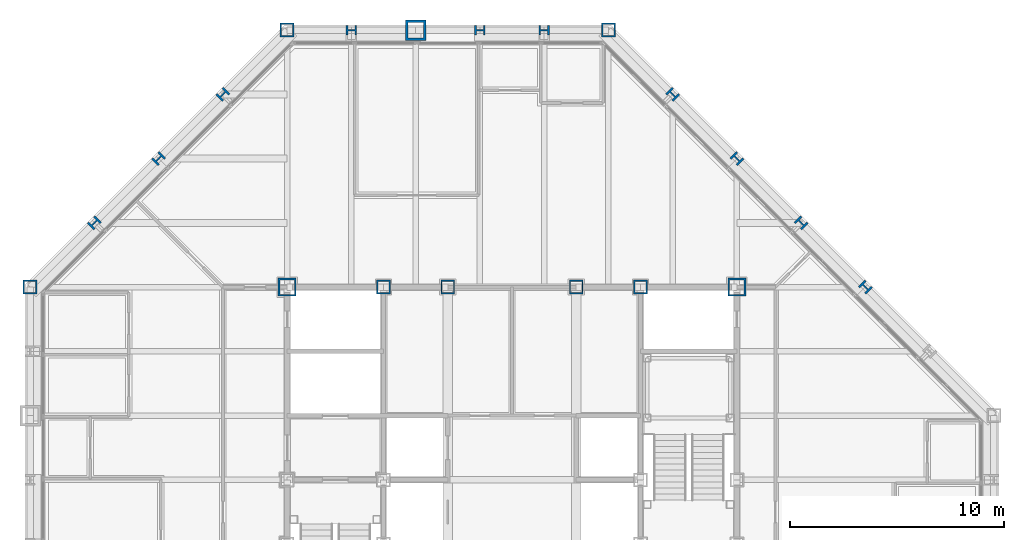
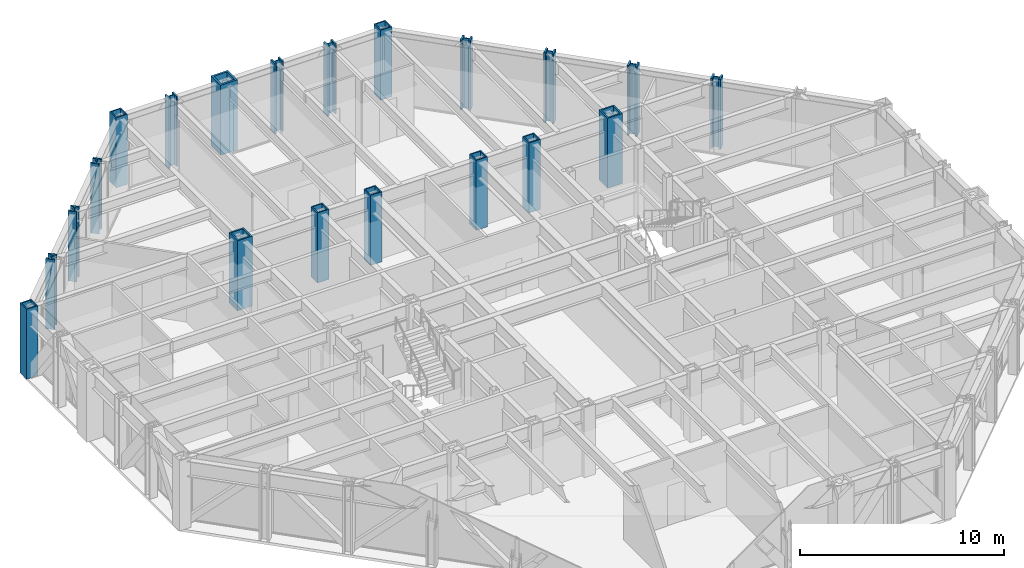
# One storey, part 4 of 16: 20 columns.
"""IFC4 building model written with IfcOpenShell, lengths in metres."""

import ifcopenshell
import ifcopenshell.guid

model = None  # the IFC model being written
_history = None  # IfcOwnerHistory: only IFC2X3 demands one
_inside = {}  # id of a spatial element -> (the spatial element, [elements in it])
_under = {}  # id of a project, library or spatial element -> (it, [spatial elements below it])
_declared = {}  # id of a project -> (the project, [libraries it declares])
_typed = {}  # id of a type object -> (the type object, [elements of that type])
_made_of = {}  # id of a material, layer set ... -> (it, [elements and type objects made of it])


def new_model(schema):
    """Start an empty IFC model of exactly this schema.

    Asked for "IFC4X3", IfcOpenShell would pick the latest addendum, in which some entities
    have other attributes; the version numbers below select the first issue.
    IFC2X3 requires an IfcOwnerHistory on every rooted entity: one is made here for all.
    """
    global model, _history
    if schema == "IFC4X3":
        model = ifcopenshell.file(schema_version=(4, 3, 0, 0))
    else:
        model = ifcopenshell.file(schema=schema)
    _inside.clear()
    _under.clear()
    _declared.clear()
    _typed.clear()
    _made_of.clear()
    _history = None
    if model.schema == "IFC2X3":
        org = make("IfcOrganization", Name="unknown")
        user = make(
            "IfcPersonAndOrganization",
            ThePerson=make("IfcPerson", FamilyName="unknown"),
            TheOrganization=org,
        )
        app = make(
            "IfcApplication",
            ApplicationDeveloper=org,
            Version="unknown",
            ApplicationFullName="unknown",
            ApplicationIdentifier="unknown",
        )
        _history = make(
            "IfcOwnerHistory",
            OwningUser=user,
            OwningApplication=app,
            ChangeAction="ADDED",
            CreationDate=0,
        )
    return model


def make(cls, **values):
    """One entity of the class cls with the attributes given. An attribute that is None is left unset."""
    return model.create_entity(
        cls, **{name: value for name, value in values.items() if value is not None}
    )


def rooted(cls, **values):
    """An entity with a GlobalId (a new one), such as an element, a storey or a relation."""
    return make(cls, GlobalId=ifcopenshell.guid.new(), OwnerHistory=_history, **values)


def si_unit(unit_type, name, prefix=None):
    """IfcSIUnit, for example si_unit("LENGTHUNIT", "METRE", prefix="MILLI")."""
    return make("IfcSIUnit", UnitType=unit_type, Prefix=prefix, Name=name)


def assignment(units):
    """IfcUnitAssignment: the units of a project."""
    return None if units is None else make("IfcUnitAssignment", Units=units)


def point(xyz):
    """IfcCartesianPoint."""
    return None if xyz is None else make("IfcCartesianPoint", Coordinates=xyz)


def direction(xyz):
    """IfcDirection."""
    return None if xyz is None else make("IfcDirection", DirectionRatios=xyz)


def frame(location, z_axis=None, x_axis=None):
    """IfcAxis2Placement3D, a coordinate frame: its origin and axes. An axis left out is left unset."""
    return make(
        "IfcAxis2Placement3D",
        Location=point(location),
        Axis=direction(z_axis),
        RefDirection=direction(x_axis),
    )


def frame_2d(location, x_axis=None):
    """IfcAxis2Placement2D, a coordinate frame in the plane: its origin and x axis."""
    return make(
        "IfcAxis2Placement2D", Location=point(location), RefDirection=direction(x_axis)
    )


def origin():
    """The frame at (0, 0, 0) with its axes left unset."""
    return frame((0.0, 0.0, 0.0))


def origin_2d():
    """The frame at (0, 0) in the plane with its x axis left unset."""
    return frame_2d((0.0, 0.0))


def place(relative_to, where):
    """IfcLocalPlacement: puts the frame where relative to a parent placement (None: the world)."""
    return make(
        "IfcLocalPlacement", PlacementRelTo=relative_to, RelativePlacement=where
    )


def context(
    kind, dimensions, precision=None, world=None, true_north=None, identifier=None
):
    """IfcGeometricRepresentationContext, for example the 3D "Model" context."""
    return make(
        "IfcGeometricRepresentationContext",
        ContextIdentifier=identifier,
        ContextType=kind,
        CoordinateSpaceDimension=dimensions,
        Precision=precision,
        WorldCoordinateSystem=world,
        TrueNorth=true_north,
    )


def subcontext(parent, identifier, kind, view, scale=None):
    """IfcGeometricRepresentationSubContext, for example "Body" below "Model"."""
    return make(
        "IfcGeometricRepresentationSubContext",
        ContextIdentifier=identifier,
        ContextType=kind,
        ParentContext=parent,
        TargetScale=scale,
        TargetView=view,
    )


def project(units=None, contexts=None):
    """IfcProject with its units and contexts."""
    return rooted(
        "IfcProject",
        Name="project",
        RepresentationContexts=contexts,
        UnitsInContext=assignment(units),
    )


def spatial(cls, under=None, at=None, **own):
    """A site, building, storey or space (cls), placed at a placement, below another one or the project."""
    s = rooted(cls, ObjectPlacement=at, **own)
    if under is not None:
        _under.setdefault(under.id(), (under, []))[1].append(s)
    return s


def profile(cls, at=None, kind="AREA", **sizes):
    """A parametric profile (cls). Its sizes go by their IFC names, for example OverallWidth=200.0."""
    return make(cls, ProfileType=kind, Position=at, **sizes)


def hollow_rectangle(**sizes):
    """IfcRectangleHollowProfileDef."""
    return profile("IfcRectangleHollowProfileDef", **sizes)


def i_section(**sizes):
    """IfcIShapeProfileDef."""
    return profile("IfcIShapeProfileDef", **sizes)


def extrude(swept, where, along, depth):
    """IfcExtrudedAreaSolid: the profile swept, set in the frame where, extruded along a direction by depth."""
    return make(
        "IfcExtrudedAreaSolid",
        SweptArea=swept,
        Position=where,
        ExtrudedDirection=direction(along),
        Depth=depth,
    )


def shape(context_of_items, identifier, shape_type, items):
    """IfcShapeRepresentation: the items that make up one representation, for example the "Body"."""
    return make(
        "IfcShapeRepresentation",
        ContextOfItems=context_of_items,
        RepresentationIdentifier=identifier,
        RepresentationType=shape_type,
        Items=items,
    )


def material(Name=None, Category=None):
    """IfcMaterial."""
    return make("IfcMaterial", Name=Name, Category=Category)


def material_profile(
    of_material, cross_section, Name=None, Category=None, Priority=None
):
    """IfcMaterialProfile: a cross section and its material."""
    return make(
        "IfcMaterialProfile",
        Name=Name,
        Material=of_material,
        Profile=cross_section,
        Priority=Priority,
        Category=Category,
    )


def profile_set(profiles, Name=None, composite=None):
    """IfcMaterialProfileSet."""
    return make(
        "IfcMaterialProfileSet",
        Name=Name,
        MaterialProfiles=profiles,
        CompositeProfile=composite,
    )


def made_of(thing, what):
    """Note that an element or type object is made of a material, layer set ...; save() writes the relation."""
    if what is not None:
        _made_of.setdefault(what.id(), (what, []))[1].append(thing)
    return thing


def type_object(cls, material=None, **own):
    """A type object (cls), such as IfcWallType, which elements share."""
    return made_of(rooted(cls, **own), material)


def element(
    cls,
    number,
    at=None,
    inside=None,
    cuts=None,
    type_object=None,
    material=None,
    context=None,
    identifier="Body",
    shape_type=None,
    held_by="IfcProductDefinitionShape",
    body=None,
    shapes=None,
    **own,
):
    """One element of the class cls, such as IfcWall. Its Tag is "e" and its number.

    at: its placement. inside: the storey or other place that contains it. cuts: it is an
    opening in that element (IfcRelVoidsElement). A single representation is given by context,
    identifier, shape_type and body (its items); several are given by shapes. held_by: the class
    of the entity that holds the representations. save() writes the other relations.
    """
    e = rooted(cls, Tag="e%d" % number, ObjectPlacement=at, **own)
    if body is not None:
        shapes = [shape(context, identifier, shape_type, body)]
    if shapes is not None:
        e.Representation = make(held_by, Representations=shapes)
    if inside is not None:
        _inside.setdefault(inside.id(), (inside, []))[1].append(e)
    if cuts is not None:
        rooted(
            "IfcRelVoidsElement", RelatingBuildingElement=cuts, RelatedOpeningElement=e
        )
    if type_object is not None:
        _typed.setdefault(type_object.id(), (type_object, []))[1].append(e)
    return made_of(e, material)


def aggregate(whole, parts):
    """IfcRelAggregates: a whole, such as a stair, and the parts it consists of."""
    return rooted("IfcRelAggregates", RelatingObject=whole, RelatedObjects=parts)


def save(model, path):
    """Write the relations noted so far, then the file.

    IfcRelAggregates (storeys below a building ...), IfcRelContainedInSpatialStructure (elements
    in a storey), IfcRelDefinesByType, IfcRelAssociatesMaterial and IfcRelDeclares: one each for
    every whole, place, type object, material and project.
    """
    for whole, parts in _under.values():
        aggregate(whole, parts)
    for where, things in _inside.values():
        rooted(
            "IfcRelContainedInSpatialStructure",
            RelatedElements=things,
            RelatingStructure=where,
        )
    for kind, things in _typed.values():
        rooted("IfcRelDefinesByType", RelatedObjects=things, RelatingType=kind)
    for what, things in _made_of.values():
        rooted("IfcRelAssociatesMaterial", RelatedObjects=things, RelatingMaterial=what)
    for by, libraries in _declared.values():
        rooted("IfcRelDeclares", RelatingContext=by, RelatedDefinitions=libraries)
    model.write(path)


model = new_model("IFC4")

# Units and contexts
model_context = context("Model", 3, precision=1e-05, world=origin(), true_north=direction((0.0, 1.0)))
body_context = subcontext(model_context, "Body", "Model", "MODEL_VIEW")
ifc_project = project(units=[si_unit("LENGTHUNIT", "METRE"), si_unit("AREAUNIT", "SQUARE_METRE"), si_unit("VOLUMEUNIT", "CUBIC_METRE"), si_unit("PLANEANGLEUNIT", "RADIAN"), si_unit("MASSUNIT", "GRAM", prefix="KILO")], contexts=[model_context])

# Site, building, storey
site_placement = place(None, origin())
site = spatial("IfcSite", under=ifc_project, at=site_placement, CompositionType="ELEMENT")
building_placement = place(site_placement, origin())
building = spatial("IfcBuilding", under=site, at=building_placement, Name="Chuquiago Exchange Tower", CompositionType="ELEMENT")
storey_placement = place(building_placement, frame((0.0, 0.0, 213.89990234375)))
storey = spatial("IfcBuildingStorey", under=building, at=storey_placement, Name="L47", CompositionType="ELEMENT", Elevation=213.89990234375)

# Columns
ifc_material_1 = material(Name="Steel ASTM A992", Category="steel")
ifc_material_profile_1 = material_profile(ifc_material_1, i_section(OverallWidth=0.431884765625, OverallDepth=0.497802734375, WebThickness=0.0556640625, FlangeThickness=0.0888671875, at=origin_2d()), Name="W14X500")
ifc_profile_set_1 = profile_set([ifc_material_profile_1], Name="Steel ASTM A992")
column_type_1 = type_object("IfcColumnType", Name="C4 W14X500", PredefinedType="COLUMN", material=ifc_profile_set_1)
for number, where, z_axis, x_axis, name in (
    (1, (24.0, 45.0, 0.0), (0.0, 0.0, 1.0), (0.0, 1.0, 0.0), "COL-L47-24_45"),
    (2, (21.0, 45.0, 0.0), (0.0, 0.0, 1.0), (0.0, 1.0, 0.0), "COL-L47-21_45"),
    (3, (15.0, 45.0, 0.0), (0.0, 0.0, 1.0), (0.0, 1.0, 0.0), "COL-L47-15_45"),
):
    element("IfcColumn", number, at=place(storey_placement, frame(where, z_axis=z_axis, x_axis=x_axis)), inside=storey, type_object=column_type_1, Name=name, PredefinedType="COLUMN", context=body_context, shape_type="SweptSolid", body=[
        extrude(i_section(OverallWidth=0.431884765625, OverallDepth=0.497802734375, WebThickness=0.0556640625, FlangeThickness=0.0888671875, at=origin_2d()), origin(), (0.0, 0.0, 1.0), 4.2001953125),
    ])
ifc_material_2 = material(Name="Steel ASTM A572 Grade 50", Category="steel")
ifc_material_profile_2 = material_profile(ifc_material_2, hollow_rectangle(XDim=0.64990234375, YDim=0.64990234375, WallThickness=0.06494140625, at=origin_2d()), Name="BOX650X650X65")
ifc_profile_set_2 = profile_set([ifc_material_profile_2], Name="Steel ASTM A572 Grade 50")
column_type_2 = type_object("IfcColumnType", Name="CC4 BOX650X650X65", PredefinedType="COLUMN", material=ifc_profile_set_2)
for number, where, z_axis, x_axis, name in (
    (4, (16.5, 33.0, 0.0), (0.0, 0.0, 1.0), (1.0, 0.0, 0.0), "CCOL-L47-16.5_33"),
    (5, (19.5, 33.0, 0.0), (0.0, 0.0, 1.0), (1.0, 0.0, 0.0), "CCOL-L47-19.5_33"),
    (6, (25.5, 33.0, 0.0), (0.0, 0.0, 1.0), (1.0, 0.0, 0.0), "CCOL-L47-25.5_33"),
    (7, (28.5, 33.0, 0.0), (0.0, 0.0, 1.0), (1.0, 0.0, 0.0), "CCOL-L47-28.5_33"),
):
    element("IfcColumn", number, at=place(storey_placement, frame(where, z_axis=z_axis, x_axis=x_axis)), inside=storey, type_object=column_type_2, Name=name, PredefinedType="COLUMN", context=body_context, shape_type="SweptSolid", body=[
        extrude(hollow_rectangle(XDim=0.64990234375, YDim=0.64990234375, WallThickness=0.06494140625, at=origin_2d()), origin(), (0.0, 0.0, 1.0), 4.2001953125),
    ])
ifc_material_3 = material(Name="Steel ASTM A572 Grade 50", Category="steel")
ifc_material_profile_3 = material_profile(ifc_material_3, hollow_rectangle(XDim=0.85009765625, YDim=0.85009765625, WallThickness=0.0849609375, at=origin_2d()), Name="BOX850X850X85")
ifc_profile_set_3 = profile_set([ifc_material_profile_3], Name="Steel ASTM A572 Grade 50")
column_type_3 = type_object("IfcColumnType", Name="CC6 BOX850X850X85", PredefinedType="COLUMN", material=ifc_profile_set_3)
for number, where, z_axis, x_axis, name in (
    (8, (12.0, 33.0, 0.0), (0.0, 0.0, 1.0), (1.0, 0.0, 0.0), "CCOL-L47-12_33"),
    (9, (33.0, 33.0, 0.0), (0.0, 0.0, 1.0), (1.0, 0.0, 0.0), "CCOL-L47-33_33"),
):
    element("IfcColumn", number, at=place(storey_placement, frame(where, z_axis=z_axis, x_axis=x_axis)), inside=storey, type_object=column_type_3, Name=name, PredefinedType="COLUMN", context=body_context, shape_type="SweptSolid", body=[
        extrude(hollow_rectangle(XDim=0.85009765625, YDim=0.85009765625, WallThickness=0.0849609375, at=origin_2d()), origin(), (0.0, 0.0, 1.0), 4.2001953125),
    ])
ifc_material_4 = material(Name="Steel ASTM A992", Category="steel")
ifc_material_profile_4 = material_profile(ifc_material_4, i_section(OverallWidth=0.436767578125, OverallDepth=0.51318359375, WebThickness=0.060546875, FlangeThickness=0.096923828125, at=origin_2d()), Name="W14X550")
ifc_profile_set_4 = profile_set([ifc_material_profile_4], Name="Steel ASTM A992")
column_type_4 = type_object("IfcColumnType", Name="CK4 W14X550", PredefinedType="COLUMN", material=ifc_profile_set_4)
for number, where, z_axis, x_axis, name in (
    (10, (39.0, 33.0, 0.0), (0.0, 0.0, 1.0), (0.707106781187, 0.707106781187, 0.0), "COL-L47-39_33"),
    (11, (36.0, 36.0, 0.0), (0.0, 0.0, 1.0), (0.707106781187, 0.707106781187, 0.0), "COL-L47-36_36"),
    (12, (33.0, 39.0, 0.0), (0.0, 0.0, 1.0), (0.707106781187, 0.707106781187, 0.0), "COL-L47-33_39"),
    (13, (30.0, 42.0, 0.0), (0.0, 0.0, 1.0), (0.707106781187, 0.707106781187, 0.0), "COL-L47-30_42"),
    (14, (9.0, 42.0, 0.0), (0.0, 0.0, 1.0), (-0.707106781187, 0.707106781187, 0.0), "COL-L47-9_42"),
    (15, (6.0, 39.0, 0.0), (0.0, 0.0, 1.0), (-0.707106781187, 0.707106781187, 0.0), "COL-L47-6_39"),
    (16, (3.0, 36.0, 0.0), (0.0, 0.0, 1.0), (-0.707106781187, 0.707106781187, 0.0), "COL-L47-3_36"),
):
    element("IfcColumn", number, at=place(storey_placement, frame(where, z_axis=z_axis, x_axis=x_axis)), inside=storey, type_object=column_type_4, Name=name, PredefinedType="COLUMN", context=body_context, shape_type="SweptSolid", body=[
        extrude(i_section(OverallWidth=0.436767578125, OverallDepth=0.51318359375, WebThickness=0.060546875, FlangeThickness=0.096923828125, at=origin_2d()), origin(), (0.0, 0.0, 1.0), 4.2001953125),
    ])
ifc_material_5 = material(Name="Steel ASTM A572 Grade 50", Category="steel")
ifc_material_profile_5 = material_profile(ifc_material_5, hollow_rectangle(XDim=0.64990234375, YDim=0.64990234375, WallThickness=0.06494140625, at=origin_2d()), Name="BOX650X650X65")
ifc_profile_set_5 = profile_set([ifc_material_profile_5], Name="Steel ASTM A572 Grade 50")
column_type_5 = type_object("IfcColumnType", Name="CN2 BOX650X650X65", PredefinedType="COLUMN", material=ifc_profile_set_5)
for number, where, z_axis, x_axis, name in (
    (17, (27.0, 45.0, 0.0), (0.0, 0.0, 1.0), (0.0, 1.0, 0.0), "COL-L47-27_45"),
    (18, (12.0, 45.0, 0.0), (0.0, 0.0, 1.0), (0.0, 1.0, 0.0), "COL-L47-12_45"),
    (19, (0.0, 33.0, 0.0), (0.0, 0.0, 1.0), (-1.0, 0.0, 0.0), "COL-L47-0_33"),
):
    element("IfcColumn", number, at=place(storey_placement, frame(where, z_axis=z_axis, x_axis=x_axis)), inside=storey, type_object=column_type_5, Name=name, PredefinedType="COLUMN", context=body_context, shape_type="SweptSolid", body=[
        extrude(hollow_rectangle(XDim=0.64990234375, YDim=0.64990234375, WallThickness=0.06494140625, at=origin_2d()), origin(), (0.0, 0.0, 1.0), 4.2001953125),
    ])
ifc_material_6 = material(Name="Steel ASTM A572 Grade 42", Category="steel")
ifc_material_profile_6 = material_profile(ifc_material_6, hollow_rectangle(XDim=0.949951171875, YDim=0.949951171875, WallThickness=0.110107421875, at=origin_2d()), Name="BOX950X950X110")
ifc_profile_set_6 = profile_set([ifc_material_profile_6], Name="Steel ASTM A572 Grade 42")
column_type_6 = type_object("IfcColumnType", Name="CT1 BOX950X950X110", PredefinedType="COLUMN", material=ifc_profile_set_6)
column_placement = place(storey_placement, frame((18.0, 45.0, 0.0), z_axis=(0.0, 0.0, 1.0), x_axis=(0.0, 1.0, 0.0)))
element("IfcColumn", 20, at=column_placement, inside=storey, type_object=column_type_6, Name="COL-L47-18_45", PredefinedType="COLUMN", context=body_context, shape_type="SweptSolid", body=[
    extrude(hollow_rectangle(XDim=0.949951171875, YDim=0.949951171875, WallThickness=0.110107421875, at=origin_2d()), origin(), (0.0, 0.0, 1.0), 4.2001953125),
])

save(model, "model.ifc")
